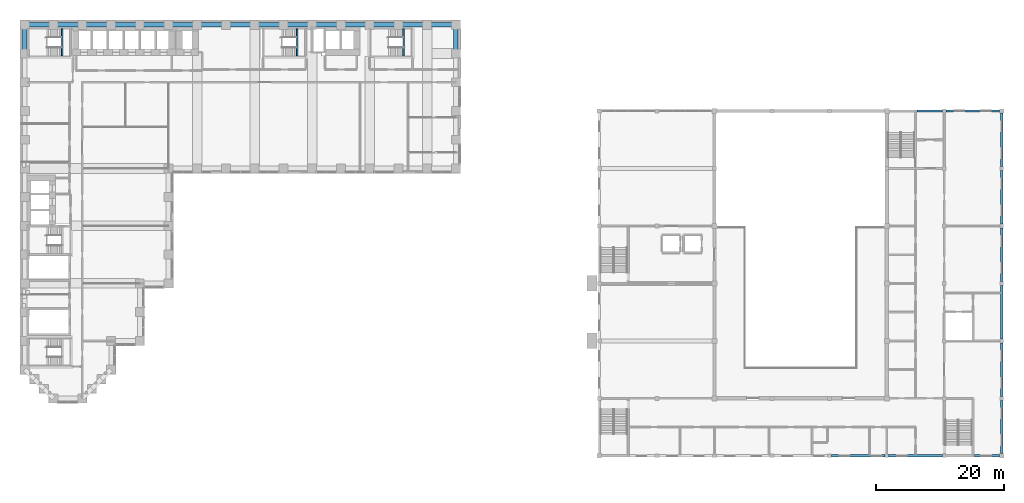
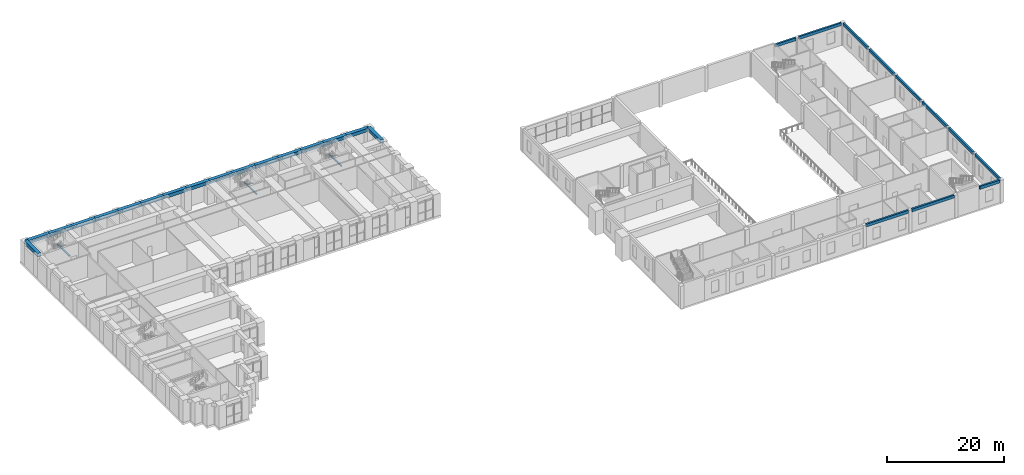
# One storey, part 11 of 34: 31 beams.
"""IFC4 building model written with IfcOpenShell, lengths in metres."""

from ifc_helpers import new_model, si_unit, direction, frame, origin, origin_2d, place, context, subcontext, project, spatial, rectangle, extrude, material, material_profile, profile_set, type_object, element, save


model = new_model("IFC4")

# Units and contexts
model_context = context("Model", 3, precision=1e-05, world=origin(), true_north=direction((0.0, 1.0)))
body_context = subcontext(model_context, "Body", "Model", "MODEL_VIEW")
ifc_project = project(units=[si_unit("LENGTHUNIT", "METRE"), si_unit("AREAUNIT", "SQUARE_METRE"), si_unit("VOLUMEUNIT", "CUBIC_METRE"), si_unit("PLANEANGLEUNIT", "RADIAN"), si_unit("MASSUNIT", "GRAM", prefix="KILO")], contexts=[model_context])

# Site, building, storey
site_placement = place(None, origin())
site = spatial("IfcSite", under=ifc_project, at=site_placement, CompositionType="ELEMENT")
building_placement = place(site_placement, origin())
building = spatial("IfcBuilding", under=site, at=building_placement, Name="Firuza Court", CompositionType="ELEMENT")
storey_placement = place(building_placement, frame((0.0, 0.0, 14.0)))
storey = spatial("IfcBuildingStorey", under=building, at=storey_placement, Name="L02", CompositionType="ELEMENT", Elevation=14.0)

# Beams
ifc_material_1 = material(Name="Concrete C40/50", Category="concrete")
ifc_material_profile_1 = material_profile(ifc_material_1, rectangle(XDim=0.25, YDim=0.25, at=origin_2d()), Name="RC 250x250")
ifc_profile_set_1 = profile_set([ifc_material_profile_1], Name="Concrete C40/50")
beam_type_1 = type_object("IfcBeamType", Name="Landing beam RC 250x250 C40/50", PredefinedType="BEAM", material=ifc_profile_set_1)
for number, where, z_axis, x_axis, name in (
    (1, (42.625, 53.64990234375, 2.175048828125), (0.0, 1.0, 0.0), (-1.0, 0.0, 0.0), "Landing beam S1 L02"),
    (2, (5.824951171875, 53.64990234375, 2.175048828125), (0.0, 1.0, 0.0), (-1.0, 0.0, 0.0), "Landing beam S3 L02"),
    (3, (59.324951171875, 53.64990234375, 2.175048828125), (0.0, 1.0, 0.0), (-1.0, 0.0, 0.0), "Landing beam S4 L02"),
):
    element("IfcBeam", number, at=place(storey_placement, frame(where, z_axis=z_axis, x_axis=x_axis)), inside=storey, type_object=beam_type_1, Name=name, PredefinedType="BEAM", context=body_context, shape_type="SweptSolid", body=[
        extrude(rectangle(XDim=0.25, YDim=0.25, at=origin_2d()), origin(), (0.0, 0.0, 1.0), 4.2001953125),
    ])
ifc_material_2 = material(Name="Concrete C40/50", Category="concrete")
ifc_material_profile_2 = material_profile(ifc_material_2, rectangle(XDim=0.35009765625, YDim=0.60009765625, at=origin_2d()), Name="RC 350X600")
ifc_profile_set_2 = profile_set([ifc_material_profile_2], Name="Concrete C40/50")
beam_type_2 = type_object("IfcBeamType", Name="RC RING BEAM 350X600", PredefinedType="BEAM", material=ifc_profile_set_2)
for number, where, z_axis, x_axis, name in (
    (4, (126.300048828125, -9.0, 4.39990234375), (1.0, 0.0, 0.0), (0.0, 1.0, 0.0), "Edge beam S2.1 L02"),
    (5, (135.300048828125, -9.0, 4.39990234375), (1.0, 0.0, 0.0), (0.0, 1.0, 0.0), "Edge beam S4.1 L02"),
):
    element("IfcBeam", number, at=place(storey_placement, frame(where, z_axis=z_axis, x_axis=x_axis)), inside=storey, type_object=beam_type_2, Name=name, PredefinedType="BEAM", context=body_context, shape_type="SweptSolid", body=[
        extrude(rectangle(XDim=0.35009765625, YDim=0.60009765625, at=origin_2d()), origin(), (0.0, 0.0, 1.0), 8.39990234375),
    ])
beam_1_placement = place(storey_placement, frame((139.699951171875, 45.0, 4.39990234375), z_axis=(1.0, 0.0, 0.0), x_axis=(0.0, 1.0, 0.0)))
element("IfcBeam", 6, at=beam_1_placement, inside=storey, type_object=beam_type_2, Name="Edge beam N5.1 L02", PredefinedType="BEAM", context=body_context, shape_type="SweptSolid", body=[
    extrude(rectangle(XDim=0.35009765625, YDim=0.60009765625, at=origin_2d()), origin(), (0.0, 0.0, 1.0), 4.0),
])
beam_2_placement = place(storey_placement, frame((148.699951171875, -9.0, 4.39990234375), z_axis=(1.0, 0.0, 0.0), x_axis=(0.0, 1.0, 0.0)))
element("IfcBeam", 7, at=beam_2_placement, inside=storey, type_object=beam_type_2, Name="Edge beam S6.1 L02", PredefinedType="BEAM", context=body_context, shape_type="SweptSolid", body=[
    extrude(rectangle(XDim=0.35009765625, YDim=0.60009765625, at=origin_2d()), origin(), (0.0, 0.0, 1.0), 3.949951171875),
])
for number, where, z_axis, x_axis, name in (
    (8, (144.300048828125, 45.0, 4.39990234375), (1.0, 0.0, 0.0), (0.0, 1.0, 0.0), "Edge beam N7.1 L02"),
    (9, (153.0, -8.64990234375, 4.39990234375), (0.0, 1.0, 0.0), (-1.0, 0.0, 0.0), "Edge beam E2.1 L02"),
):
    element("IfcBeam", number, at=place(storey_placement, frame(where, z_axis=z_axis, x_axis=x_axis)), inside=storey, type_object=beam_type_2, Name=name, PredefinedType="BEAM", context=body_context, shape_type="SweptSolid", body=[
        extrude(rectangle(XDim=0.35009765625, YDim=0.60009765625, at=origin_2d()), origin(), (0.0, 0.0, 1.0), 8.349853515625),
    ])
for number, where, z_axis, x_axis, name in (
    (10, (153.0, 0.300048828125, 4.39990234375), (0.0, 1.0, 0.0), (-1.0, 0.0, 0.0), "Edge beam E4.1 L02"),
    (11, (153.0, 9.300048828125, 4.39990234375), (0.0, 1.0, 0.0), (-1.0, 0.0, 0.0), "Edge beam E6.1 L02"),
    (12, (153.0, 18.300048828125, 4.39990234375), (0.0, 1.0, 0.0), (-1.0, 0.0, 0.0), "Edge beam E1.1 L02"),
    (13, (153.0, 27.300048828125, 4.39990234375), (0.0, 1.0, 0.0), (-1.0, 0.0, 0.0), "Edge beam E3.1 L02"),
):
    element("IfcBeam", number, at=place(storey_placement, frame(where, z_axis=z_axis, x_axis=x_axis)), inside=storey, type_object=beam_type_2, Name=name, PredefinedType="BEAM", context=body_context, shape_type="SweptSolid", body=[
        extrude(rectangle(XDim=0.35009765625, YDim=0.60009765625, at=origin_2d()), origin(), (0.0, 0.0, 1.0), 8.39990234375),
    ])
beam_3_placement = place(storey_placement, frame((153.0, 36.300048828125, 4.39990234375), z_axis=(0.0, 1.0, 0.0), x_axis=(-1.0, 0.0, 0.0)))
element("IfcBeam", 14, at=beam_3_placement, inside=storey, type_object=beam_type_2, Name="Edge beam E5.1 L02", PredefinedType="BEAM", context=body_context, shape_type="SweptSolid", body=[
    extrude(rectangle(XDim=0.35009765625, YDim=0.60009765625, at=origin_2d()), origin(), (0.0, 0.0, 1.0), 8.349853515625),
])
ifc_material_3 = material(Name="Concrete C40/50", Category="concrete")
ifc_material_profile_3 = material_profile(ifc_material_3, rectangle(XDim=0.699951171875, YDim=0.699951171875, at=origin_2d()), Name="RC 700x700")
ifc_profile_set_3 = profile_set([ifc_material_profile_3], Name="Concrete C40/50")
beam_type_3 = type_object("IfcBeamType", Name="Spandrel beam RC 700x700 C40/50", PredefinedType="BEAM", material=ifc_profile_set_3)
for number, where, z_axis, x_axis, name in (
    (15, (0.0, 58.5, 4.25), (0.0, -1.0, 0.0), (1.0, 0.0, 0.0), "Spandrel beam SP8 level L03"),
    (16, (4.5, 58.5, 4.25), (-1.0, 0.0, 0.0), (0.0, -1.0, 0.0), "Spandrel beam SP8 level L03"),
    (17, (9.0, 58.5, 4.25), (-1.0, 0.0, 0.0), (0.0, -1.0, 0.0), "Spandrel beam SP8 level L03"),
    (18, (13.5, 58.5, 4.25), (-1.0, 0.0, 0.0), (0.0, -1.0, 0.0), "Spandrel beam SP8 level L03"),
    (19, (18.0, 58.5, 4.25), (-1.0, 0.0, 0.0), (0.0, -1.0, 0.0), "Spandrel beam SP8 level L03"),
    (20, (22.5, 58.5, 4.25), (-1.0, 0.0, 0.0), (0.0, -1.0, 0.0), "Spandrel beam SP8 level L03"),
    (21, (27.0, 58.5, 4.25), (-1.0, 0.0, 0.0), (0.0, -1.0, 0.0), "Spandrel beam SP8 level L03"),
    (22, (31.5, 58.5, 4.25), (-1.0, 0.0, 0.0), (0.0, -1.0, 0.0), "Spandrel beam SP8 level L03"),
    (23, (36.0, 58.5, 4.25), (-1.0, 0.0, 0.0), (0.0, -1.0, 0.0), "Spandrel beam SP8 level L03"),
    (24, (40.5, 58.5, 4.25), (-1.0, 0.0, 0.0), (0.0, -1.0, 0.0), "Spandrel beam SP8 level L03"),
    (25, (45.0, 58.5, 4.25), (-1.0, 0.0, 0.0), (0.0, -1.0, 0.0), "Spandrel beam SP8 level L03"),
    (26, (49.5, 58.5, 4.25), (-1.0, 0.0, 0.0), (0.0, -1.0, 0.0), "Spandrel beam SP8 level L03"),
    (27, (54.0, 58.5, 4.25), (-1.0, 0.0, 0.0), (0.0, -1.0, 0.0), "Spandrel beam SP8 level L03"),
    (28, (58.5, 58.5, 4.25), (-1.0, 0.0, 0.0), (0.0, -1.0, 0.0), "Spandrel beam SP8 level L03"),
    (29, (63.0, 58.5, 4.25), (-1.0, 0.0, 0.0), (0.0, -1.0, 0.0), "Spandrel beam SP8 level L03"),
    (30, (67.5, 54.0, 4.25), (0.0, 1.0, 0.0), (-1.0, 0.0, 0.0), "Spandrel beam SP8 level L03"),
    (31, (67.5, 58.5, 4.25), (-1.0, 0.0, 0.0), (0.0, -1.0, 0.0), "Spandrel beam SP8 level L03"),
):
    element("IfcBeam", number, at=place(storey_placement, frame(where, z_axis=z_axis, x_axis=x_axis)), inside=storey, type_object=beam_type_3, Name=name, PredefinedType="BEAM", context=body_context, shape_type="SweptSolid", body=[
        extrude(rectangle(XDim=0.699951171875, YDim=0.699951171875, at=origin_2d()), origin(), (0.0, 0.0, 1.0), 4.5),
    ])

save(model, "model.ifc")
